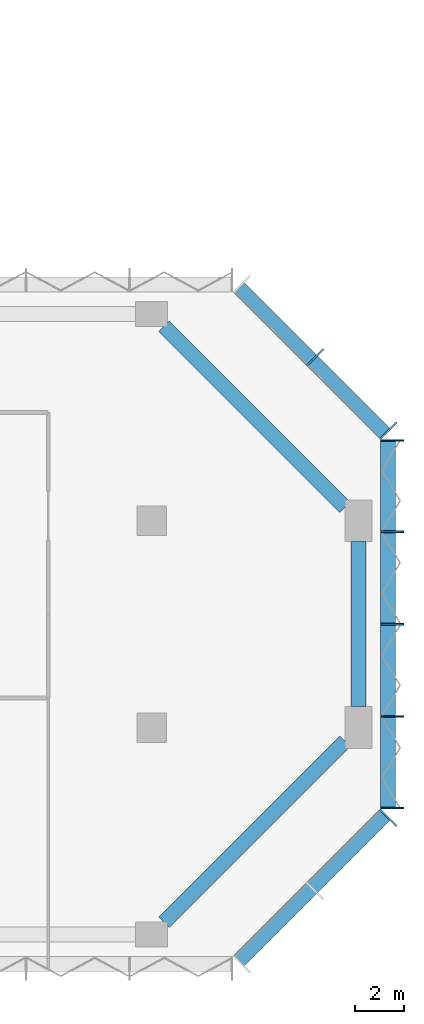
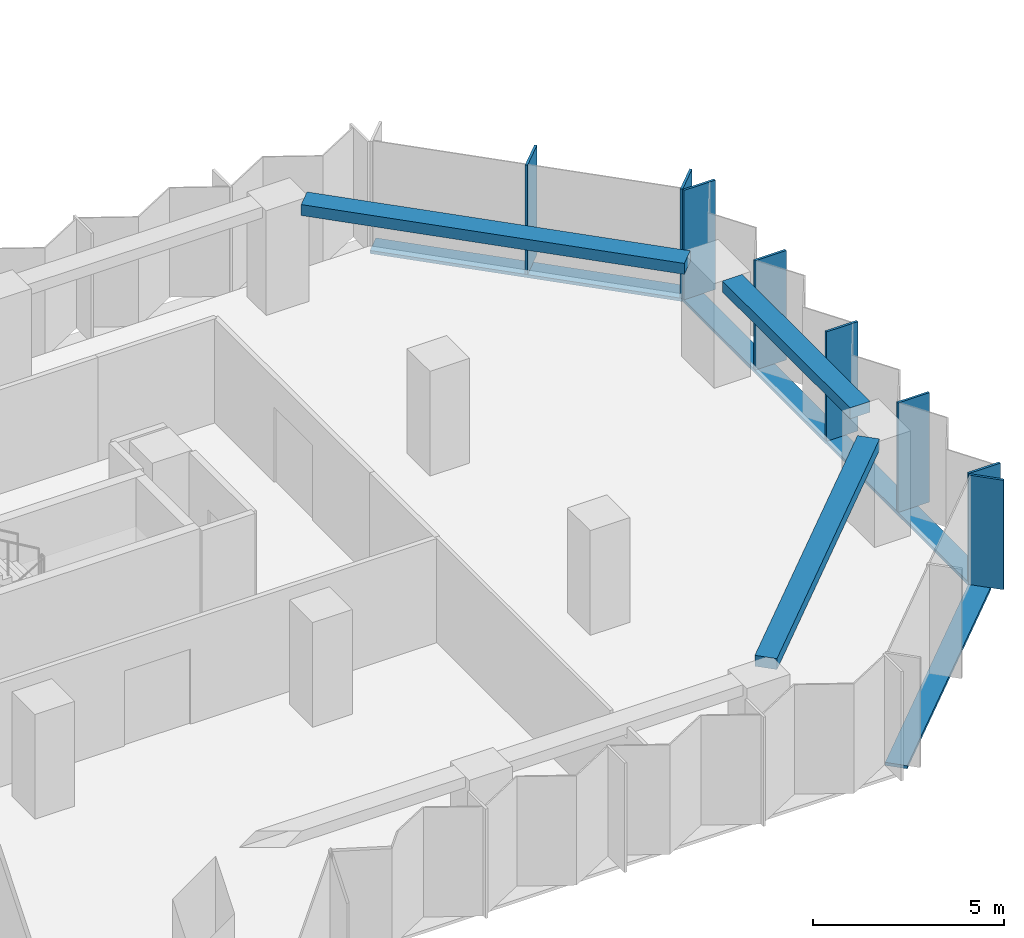
# One storey, part 4 of 13: 11 members, 3 beams, 3 elements without a shape of their own.
"""IFC4 building model written with IfcOpenShell, lengths in metres."""

from ifc_helpers import new_model, si_unit, direction, frame, origin, origin_2d, place, context, subcontext, project, spatial, rectangle, extrude, material, material_profile, profile_set, type_object, element, aggregate, save


model = new_model("IFC4")

# Units and contexts
model_context = context("Model", 3, precision=1e-05, world=origin(), true_north=direction((0.0, 1.0)))
body_context = subcontext(model_context, "Body", "Model", "MODEL_VIEW")
ifc_project = project(units=[si_unit("LENGTHUNIT", "METRE"), si_unit("AREAUNIT", "SQUARE_METRE"), si_unit("VOLUMEUNIT", "CUBIC_METRE"), si_unit("PLANEANGLEUNIT", "RADIAN"), si_unit("MASSUNIT", "GRAM", prefix="KILO")], contexts=[model_context])

# Site, building, storey
site_placement = place(None, origin())
site = spatial("IfcSite", under=ifc_project, at=site_placement, CompositionType="ELEMENT")
building_placement = place(site_placement, origin())
building = spatial("IfcBuilding", under=site, at=building_placement, Name="Brevane Broadcast Tower", CompositionType="ELEMENT")
storey_placement = place(building_placement, frame((0.0, 0.0, 95.300048828125)))
storey = spatial("IfcBuildingStorey", under=building, at=storey_placement, Name="L22", CompositionType="ELEMENT", Elevation=95.300048828125)

# Curtain wall, member
ifc_material_1 = material(Name="Aluminium 6063-T6 bronze anodised", Category="aluminium")
curtain_wall_type = type_object("IfcCurtainWallType", Name="CW-1 curtain wall", PredefinedType="NOTDEFINED", material=ifc_material_1)
curtain_wall_1_placement = place(storey_placement, origin())
curtain_wall_1 = element("IfcCurtainWall", 1, at=curtain_wall_1_placement, inside=storey, type_object=curtain_wall_type, Name="CW-1 typical tilted unit L22 south-east chamfer", PredefinedType="NOTDEFINED")
ifc_material_profile_1 = material_profile(ifc_material_1, rectangle(XDim=0.949951171875, YDim=0.070068359375, at=origin_2d()), Name="RECT 70x950")
ifc_profile_set_1 = profile_set([ifc_material_profile_1], Name="Aluminium 6063-T6 bronze anodised")
member_type_1 = type_object("IfcMemberType", Name="CW-1 mullion 70x950", PredefinedType="MULLION", material=ifc_profile_set_1)
member_1_placement = place(storey_placement, frame((68.4111328125, 4.7392578125, -0.150146484375), z_axis=(0.0, 0.0, 1.0), x_axis=(-0.707106781187, 0.707106781187, 0.0)))
member_1 = element("IfcMember", 2, at=member_1_placement, type_object=member_type_1, Name="CW-1 mullion", PredefinedType="MULLION", context=body_context, shape_type="SweptSolid", body=[
    extrude(rectangle(XDim=0.949951171875, YDim=0.070068359375, at=origin_2d()), origin(), (0.0, 0.0, 1.0), 3.5),
])

# Curtain wall, members
curtain_wall_2_placement = place(storey_placement, origin())
curtain_wall_2 = element("IfcCurtainWall", 3, at=curtain_wall_2_placement, inside=storey, type_object=curtain_wall_type, Name="CW-1 typical tilted unit L22 east end", PredefinedType="NOTDEFINED")
member_2_placement = place(storey_placement, frame((68.574951171875, 5.135009765625, -0.150146484375), z_axis=(0.0, 0.0, 1.0), x_axis=(-1.0, 0.0, 0.0)))
member_2 = element("IfcMember", 4, at=member_2_placement, type_object=member_type_1, Name="CW-1 mullion", PredefinedType="MULLION", context=body_context, shape_type="SweptSolid", body=[
    extrude(rectangle(XDim=0.949951171875, YDim=0.070068359375, at=origin_2d()), origin(), (0.0, 0.0, 1.0), 3.5),
])
member_3_placement = place(storey_placement, frame((68.574951171875, 8.85009765625, -0.150146484375), z_axis=(0.0, 0.0, 1.0), x_axis=(-1.0, 0.0, 0.0)))
member_3 = element("IfcMember", 5, at=member_3_placement, type_object=member_type_1, Name="CW-1 mullion", PredefinedType="MULLION", context=body_context, shape_type="SweptSolid", body=[
    extrude(rectangle(XDim=0.949951171875, YDim=0.070068359375, at=origin_2d()), origin(), (0.0, 0.0, 1.0), 3.5),
])
member_4_placement = place(storey_placement, frame((68.574951171875, 12.60009765625, -0.150146484375), z_axis=(0.0, 0.0, 1.0), x_axis=(-1.0, 0.0, 0.0)))
member_4 = element("IfcMember", 6, at=member_4_placement, type_object=member_type_1, Name="CW-1 mullion", PredefinedType="MULLION", context=body_context, shape_type="SweptSolid", body=[
    extrude(rectangle(XDim=0.949951171875, YDim=0.070068359375, at=origin_2d()), origin(), (0.0, 0.0, 1.0), 3.5),
])
member_5_placement = place(storey_placement, frame((68.574951171875, 16.35009765625, -0.150146484375), z_axis=(0.0, 0.0, 1.0), x_axis=(-1.0, 0.0, 0.0)))
member_5 = element("IfcMember", 7, at=member_5_placement, type_object=member_type_1, Name="CW-1 mullion", PredefinedType="MULLION", context=body_context, shape_type="SweptSolid", body=[
    extrude(rectangle(XDim=0.949951171875, YDim=0.070068359375, at=origin_2d()), origin(), (0.0, 0.0, 1.0), 3.5),
])
member_6_placement = place(storey_placement, frame((68.574951171875, 20.06494140625, -0.150146484375), z_axis=(0.0, 0.0, 1.0), x_axis=(-1.0, 0.0, 0.0)))
member_6 = element("IfcMember", 8, at=member_6_placement, type_object=member_type_1, Name="CW-1 mullion", PredefinedType="MULLION", context=body_context, shape_type="SweptSolid", body=[
    extrude(rectangle(XDim=0.949951171875, YDim=0.070068359375, at=origin_2d()), origin(), (0.0, 0.0, 1.0), 3.5),
])

curtain_wall_3_placement = place(storey_placement, origin())
curtain_wall_3 = element("IfcCurtainWall", 9, at=curtain_wall_3_placement, inside=storey, type_object=curtain_wall_type, Name="CW-1 typical tilted unit L22 north-east chamfer", PredefinedType="NOTDEFINED")
member_7_placement = place(storey_placement, frame((68.4111328125, 20.460693359375, -0.150146484375), z_axis=(0.0, 0.0, 1.0), x_axis=(-0.707106781187, -0.707106781187, 0.0)))
member_7 = element("IfcMember", 10, at=member_7_placement, type_object=member_type_1, Name="CW-1 mullion", PredefinedType="MULLION", context=body_context, shape_type="SweptSolid", body=[
    extrude(rectangle(XDim=0.949951171875, YDim=0.070068359375, at=origin_2d()), origin(), (0.0, 0.0, 1.0), 3.5),
])
member_8_placement = place(storey_placement, frame((65.435791015625, 23.435791015625, -0.150146484375), z_axis=(0.0, 0.0, 1.0), x_axis=(-0.707106781187, -0.707106781187, 0.0)))
member_8 = element("IfcMember", 11, at=member_8_placement, type_object=member_type_1, Name="CW-1 mullion", PredefinedType="MULLION", context=body_context, shape_type="SweptSolid", body=[
    extrude(rectangle(XDim=0.949951171875, YDim=0.070068359375, at=origin_2d()), origin(), (0.0, 0.0, 1.0), 3.5),
])

# Member
ifc_material_profile_2 = material_profile(ifc_material_1, rectangle(XDim=0.60009765625, YDim=0.10009765625, at=origin_2d()), Name="RECT 100x600")
ifc_profile_set_2 = profile_set([ifc_material_profile_2], Name="Aluminium 6063-T6 bronze anodised")
member_type_2 = type_object("IfcMemberType", Name="CW-1 transom 100x600", PredefinedType="USERDEFINED", material=ifc_profile_set_2)
member_9_placement = place(storey_placement, frame((62.31201171875, -1.112060546875, -0.199951171875), z_axis=(0.707106781187, 0.707106781187, 0.0), x_axis=(-0.707106781187, 0.707106781187, 0.0)))
member_9 = element("IfcMember", 12, at=member_9_placement, type_object=member_type_2, Name="CW-1 transom", ObjectType="TRANSOM", PredefinedType="USERDEFINED", context=body_context, shape_type="SweptSolid", body=[
    extrude(rectangle(XDim=0.60009765625, YDim=0.10009765625, at=origin_2d()), origin(), (0.0, 0.0, 1.0), 8.4853515625),
])

aggregate(curtain_wall_1, [member_1, member_9])

member_10_placement = place(storey_placement, frame((68.39990234375, 5.10009765625, -0.199951171875), z_axis=(0.0, 1.0, 0.0), x_axis=(-1.0, 0.0, 0.0)))
member_10 = element("IfcMember", 13, at=member_10_placement, type_object=member_type_2, Name="CW-1 transom", ObjectType="TRANSOM", PredefinedType="USERDEFINED", context=body_context, shape_type="SweptSolid", body=[
    extrude(rectangle(XDim=0.60009765625, YDim=0.10009765625, at=origin_2d()), origin(), (0.0, 0.0, 1.0), 15.0),
])

aggregate(curtain_wall_2, [member_2, member_3, member_4, member_5, member_6, member_10])

member_11_placement = place(storey_placement, frame((68.31201171875, 20.31201171875, -0.199951171875), z_axis=(-0.707106781187, 0.707106781187, 0.0), x_axis=(-0.707106781187, -0.707106781187, 0.0)))
member_11 = element("IfcMember", 14, at=member_11_placement, type_object=member_type_2, Name="CW-1 transom", ObjectType="TRANSOM", PredefinedType="USERDEFINED", context=body_context, shape_type="SweptSolid", body=[
    extrude(rectangle(XDim=0.60009765625, YDim=0.10009765625, at=origin_2d()), origin(), (0.0, 0.0, 1.0), 8.4853515625),
])

aggregate(curtain_wall_3, [member_7, member_8, member_11])

# Beams
ifc_material_2 = material(Name="Concrete C40/50", Category="concrete")
ifc_material_profile_3 = material_profile(ifc_material_2, rectangle(XDim=0.60009765625, YDim=0.35009765625, at=origin_2d()), Name="RC 600x350")
ifc_profile_set_3 = profile_set([ifc_material_profile_3], Name="Concrete C40/50")
beam_type = type_object("IfcBeamType", Name="RC SPANDREL BEAM 600x350 C40/50", PredefinedType="SPANDREL", material=ifc_profile_set_3)
beam_1_placement = place(storey_placement, frame((59.300048828125, 0.5, 3.175048828125), z_axis=(0.707095037275, 0.707118524903, 0.0), x_axis=(-0.707118524903, 0.707095037275, 0.0)))
element("IfcBeam", 15, at=beam_1_placement, inside=storey, type_object=beam_type, Name="EB1 L22-5", PredefinedType="SPANDREL", context=body_context, shape_type="SweptSolid", body=[
    extrude(rectangle(XDim=0.60009765625, YDim=0.35009765625, at=origin_2d()), origin(), (0.0, 0.0, 1.0), 10.39453125),
])
beam_2_placement = place(storey_placement, frame((67.199951171875, 9.25, 3.175048828125), z_axis=(0.0, 1.0, 0.0), x_axis=(-1.0, 0.0, 0.0)))
element("IfcBeam", 16, at=beam_2_placement, inside=storey, type_object=beam_type, Name="EB1 L22-6", PredefinedType="SPANDREL", context=body_context, shape_type="SweptSolid", body=[
    extrude(rectangle(XDim=0.60009765625, YDim=0.35009765625, at=origin_2d()), origin(), (0.0, 0.0, 1.0), 6.699951171875),
])
beam_3_placement = place(storey_placement, frame((66.64990234375, 17.35009765625, 3.175048828125), z_axis=(-0.707106781187, 0.707106781187, 0.0), x_axis=(-0.707106781187, -0.707106781187, 0.0)))
element("IfcBeam", 17, at=beam_3_placement, inside=storey, type_object=beam_type, Name="EB1 L22-7", PredefinedType="SPANDREL", context=body_context, shape_type="SweptSolid", body=[
    extrude(rectangle(XDim=0.60009765625, YDim=0.35009765625, at=origin_2d()), origin(), (0.0, 0.0, 1.0), 10.394287109375),
])

save(model, "model.ifc")
